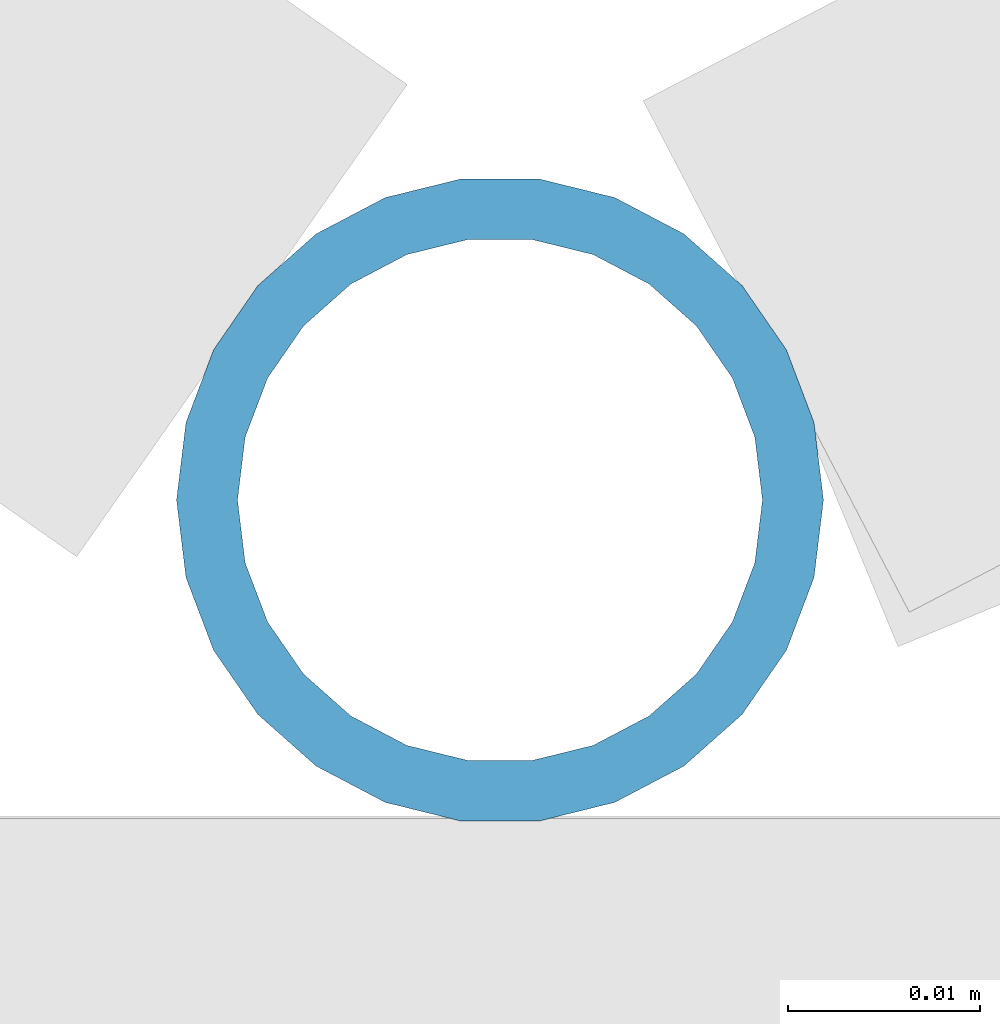
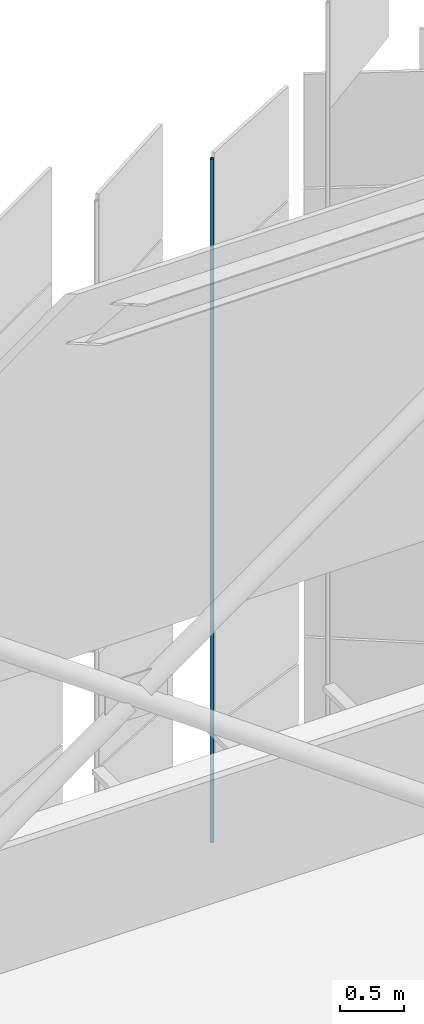
# One storey, part 378 of 483: 1 discrete accessory.
"""IFC4 building model written with IfcOpenShell, lengths in metres."""

from ifc_helpers import new_model, si_unit, direction, frame, origin, origin_2d, place, context, subcontext, project, spatial, hollow_circle, extrude, material, material_profile, profile_set, type_object, element, save


model = new_model("IFC4")

# Units and contexts
model_context = context("Model", 3, precision=1e-05, world=origin(), true_north=direction((0.0, 1.0)))
body_context = subcontext(model_context, "Body", "Model", "MODEL_VIEW")
ifc_project = project(units=[si_unit("LENGTHUNIT", "METRE"), si_unit("AREAUNIT", "SQUARE_METRE"), si_unit("VOLUMEUNIT", "CUBIC_METRE"), si_unit("PLANEANGLEUNIT", "RADIAN"), si_unit("MASSUNIT", "GRAM", prefix="KILO")], contexts=[model_context])

# Site, building, storey
site_placement = place(None, origin())
site = spatial("IfcSite", under=ifc_project, at=site_placement, CompositionType="ELEMENT")
building_placement = place(site_placement, origin())
building = spatial("IfcBuilding", under=site, at=building_placement, Name="Parallax Yard Mobility Hub", CompositionType="ELEMENT")
storey_placement = place(building_placement, frame((0.0, 0.0, 13.199951171875)))
storey = spatial("IfcBuildingStorey", under=building, at=storey_placement, Name="L04", CompositionType="ELEMENT", Elevation=13.199951171875)

# Discrete accessory
ifc_material = material(Name="Steel ASTM A500 Gr C, hot-dip galvanised", Category="steel")
ifc_material_profile = material_profile(ifc_material, hollow_circle(Radius=0.016845703125, WallThickness=0.003173828125, at=origin_2d()), Name="CHS 33.7x3.2")
ifc_profile_set = profile_set([ifc_material_profile], Name="Steel ASTM A500 Gr C, hot-dip galvanised")
discrete_accessory_type = type_object("IfcDiscreteAccessoryType", Name="Hinge post CHS 33.7x3.2", PredefinedType="BRACKET", material=ifc_profile_set)
discrete_accessory_placement = place(storey_placement, frame((162.85791015625, 142.9912109375, 0.0), z_axis=(0.0, 0.0, 1.0), x_axis=(1.0, 0.0, 0.0)))
element("IfcDiscreteAccessory", 1, at=discrete_accessory_placement, inside=storey, type_object=discrete_accessory_type, Name="Hinge post bay 52.3 level L04", PredefinedType="BRACKET", context=body_context, shape_type="SweptSolid", body=[
    extrude(hollow_circle(Radius=0.016845703125, WallThickness=0.003173828125, at=origin_2d()), origin(), (0.0, 0.0, 1.0), 6.550048828125),
])

save(model, "model.ifc")
